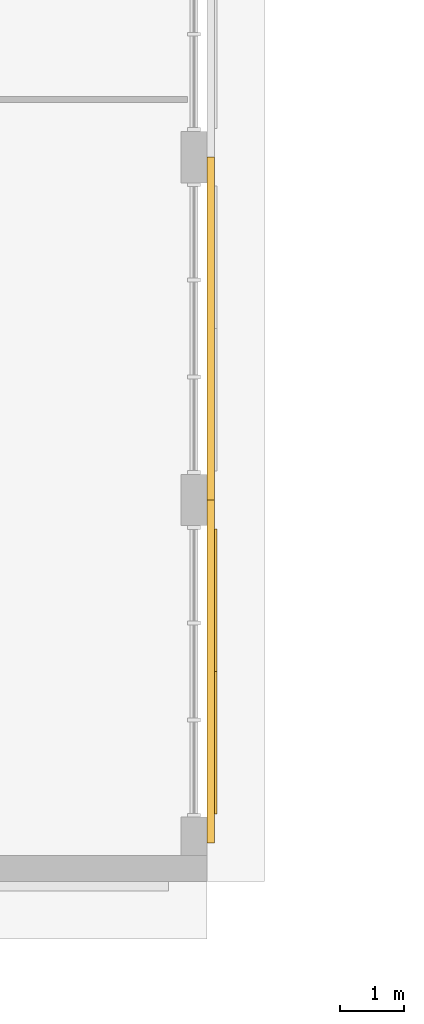
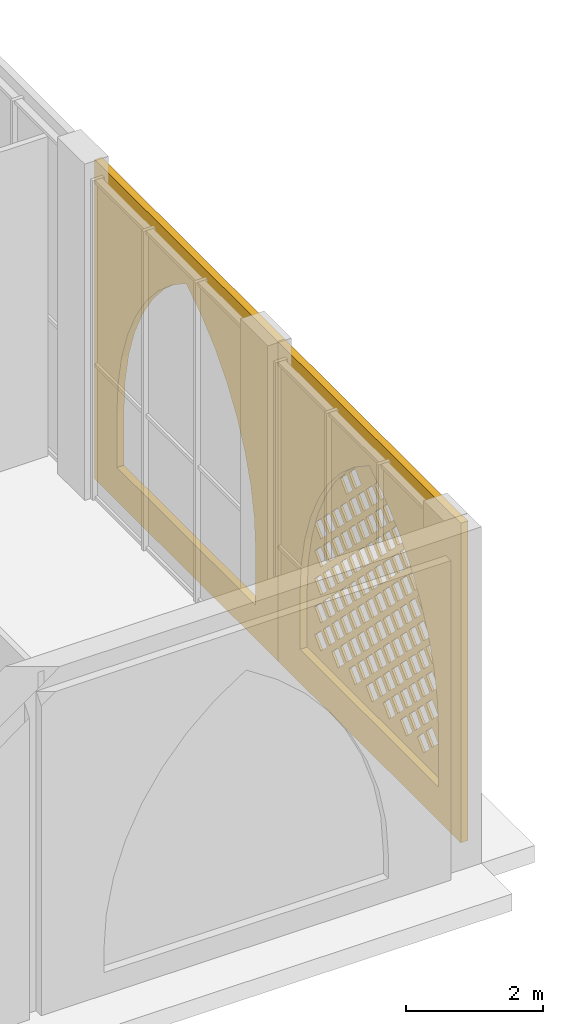
# One storey, part 33 of 74: 3 coverings.
"""IFC4 building model written with IfcOpenShell, lengths in metres."""

from ifc_helpers import new_model, si_unit, direction, frame, origin, place, context, subcontext, project, spatial, polyline, outline, extrude, material, layer, layer_set, type_object, element, save


model = new_model("IFC4")

# Units and contexts
model_context = context("Model", 3, precision=1e-05, world=origin(), true_north=direction((0.0, 1.0)))
body_context = subcontext(model_context, "Body", "Model", "MODEL_VIEW")
ifc_project = project(units=[si_unit("LENGTHUNIT", "METRE"), si_unit("AREAUNIT", "SQUARE_METRE"), si_unit("VOLUMEUNIT", "CUBIC_METRE"), si_unit("PLANEANGLEUNIT", "RADIAN"), si_unit("MASSUNIT", "GRAM", prefix="KILO")], contexts=[model_context])

# Site, building, storey
site_placement = place(None, origin())
site = spatial("IfcSite", under=ifc_project, at=site_placement, CompositionType="ELEMENT")
building_placement = place(site_placement, origin())
building = spatial("IfcBuilding", under=site, at=building_placement, Name="Noorbagh Ring Tower", CompositionType="ELEMENT")
storey_placement = place(building_placement, frame((0.0, 0.0, 7.5)))
storey = spatial("IfcBuildingStorey", under=building, at=storey_placement, Name="L01", CompositionType="ELEMENT", Elevation=7.5)

# Coverings
ifc_material_1 = material(Name="Red sandstone jali", Category="masonry")
ifc_layer_1 = layer(ifc_material_1, 0.0400390625)
ifc_layer_set_1 = layer_set([ifc_layer_1], Name="Red sandstone jali")
covering_type_1 = type_object("IfcCoveringType", Name="STH-JALI", PredefinedType="USERDEFINED", material=ifc_layer_set_1)
covering_1_placement = place(storey_placement, frame((-94.840087890625, -19.949951171875, 0.39990234375), z_axis=(1.0, 0.0, 0.0), x_axis=(0.0, 1.0, 0.0)))
element("IfcCovering", 1, at=covering_1_placement, inside=storey, type_object=covering_type_1, Name="Jali screen", ObjectType="SCREEN", PredefinedType="USERDEFINED", context=body_context, shape_type="SweptSolid", body=[
    extrude(outline(polyline([(0.0, 0.0), (4.449951171875, 0.0), (4.449951171875, 1.0), (4.411865234375, 1.580810546875), (4.29833984375, 2.15185546875), (4.111328125, 2.702880859375), (3.853759765625, 3.22509765625), (3.5302734375, 3.708984375), (3.146484375, 4.146728515625), (2.708984375, 4.530517578125), (2.224853515625, 4.85400390625), (1.740966796875, 4.530517578125), (1.303466796875, 4.146728515625), (0.91943359375, 3.708984375), (0.59619140625, 3.22509765625), (0.338623046875, 2.702880859375), (0.151611328125, 2.15185546875), (0.0380859375, 1.580810546875), (0.0, 1.0), (0.0, 0.0)]), holes=[polyline([(0.669921875, 0.552001953125), (0.85009765625, 0.371826171875), (1.030029296875, 0.552001953125), (0.85009765625, 0.73193359375), (0.669921875, 0.552001953125)]), polyline([(1.169921875, 0.552001953125), (1.35009765625, 0.371826171875), (1.530029296875, 0.552001953125), (1.35009765625, 0.73193359375), (1.169921875, 0.552001953125)]), polyline([(1.669921875, 0.552001953125), (1.85009765625, 0.371826171875), (2.030029296875, 0.552001953125), (1.85009765625, 0.73193359375), (1.669921875, 0.552001953125)]), polyline([(2.169921875, 0.552001953125), (2.35009765625, 0.371826171875), (2.530029296875, 0.552001953125), (2.35009765625, 0.73193359375), (2.169921875, 0.552001953125)]), polyline([(2.669921875, 0.552001953125), (2.85009765625, 0.371826171875), (3.030029296875, 0.552001953125), (2.85009765625, 0.73193359375), (2.669921875, 0.552001953125)]), polyline([(3.169921875, 0.552001953125), (3.35009765625, 0.371826171875), (3.530029296875, 0.552001953125), (3.35009765625, 0.73193359375), (3.169921875, 0.552001953125)]), polyline([(3.669921875, 0.552001953125), (3.85009765625, 0.371826171875), (4.030029296875, 0.552001953125), (3.85009765625, 0.73193359375), (3.669921875, 0.552001953125)]), polyline([(0.419921875, 0.802001953125), (0.60009765625, 0.621826171875), (0.780029296875, 0.802001953125), (0.60009765625, 0.98193359375), (0.419921875, 0.802001953125)]), polyline([(0.919921875, 0.802001953125), (1.10009765625, 0.621826171875), (1.280029296875, 0.802001953125), (1.10009765625, 0.98193359375), (0.919921875, 0.802001953125)]), polyline([(1.419921875, 0.802001953125), (1.60009765625, 0.621826171875), (1.780029296875, 0.802001953125), (1.60009765625, 0.98193359375), (1.419921875, 0.802001953125)]), polyline([(1.919921875, 0.802001953125), (2.10009765625, 0.621826171875), (2.280029296875, 0.802001953125), (2.10009765625, 0.98193359375), (1.919921875, 0.802001953125)]), polyline([(2.419921875, 0.802001953125), (2.60009765625, 0.621826171875), (2.780029296875, 0.802001953125), (2.60009765625, 0.98193359375), (2.419921875, 0.802001953125)]), polyline([(2.919921875, 0.802001953125), (3.10009765625, 0.621826171875), (3.280029296875, 0.802001953125), (3.10009765625, 0.98193359375), (2.919921875, 0.802001953125)]), polyline([(3.419921875, 0.802001953125), (3.60009765625, 0.621826171875), (3.780029296875, 0.802001953125), (3.60009765625, 0.98193359375), (3.419921875, 0.802001953125)]), polyline([(0.669921875, 1.052001953125), (0.85009765625, 0.871826171875), (1.030029296875, 1.052001953125), (0.85009765625, 1.23193359375), (0.669921875, 1.052001953125)]), polyline([(1.169921875, 1.052001953125), (1.35009765625, 0.871826171875), (1.530029296875, 1.052001953125), (1.35009765625, 1.23193359375), (1.169921875, 1.052001953125)]), polyline([(1.669921875, 1.052001953125), (1.85009765625, 0.871826171875), (2.030029296875, 1.052001953125), (1.85009765625, 1.23193359375), (1.669921875, 1.052001953125)]), polyline([(2.169921875, 1.052001953125), (2.35009765625, 0.871826171875), (2.530029296875, 1.052001953125), (2.35009765625, 1.23193359375), (2.169921875, 1.052001953125)]), polyline([(2.669921875, 1.052001953125), (2.85009765625, 0.871826171875), (3.030029296875, 1.052001953125), (2.85009765625, 1.23193359375), (2.669921875, 1.052001953125)]), polyline([(3.169921875, 1.052001953125), (3.35009765625, 0.871826171875), (3.530029296875, 1.052001953125), (3.35009765625, 1.23193359375), (3.169921875, 1.052001953125)]), polyline([(3.669921875, 1.052001953125), (3.85009765625, 0.871826171875), (4.030029296875, 1.052001953125), (3.85009765625, 1.23193359375), (3.669921875, 1.052001953125)]), polyline([(0.419921875, 1.302001953125), (0.60009765625, 1.121826171875), (0.780029296875, 1.302001953125), (0.60009765625, 1.48193359375), (0.419921875, 1.302001953125)]), polyline([(0.919921875, 1.302001953125), (1.10009765625, 1.121826171875), (1.280029296875, 1.302001953125), (1.10009765625, 1.48193359375), (0.919921875, 1.302001953125)]), polyline([(1.419921875, 1.302001953125), (1.60009765625, 1.121826171875), (1.780029296875, 1.302001953125), (1.60009765625, 1.48193359375), (1.419921875, 1.302001953125)]), polyline([(1.919921875, 1.302001953125), (2.10009765625, 1.121826171875), (2.280029296875, 1.302001953125), (2.10009765625, 1.48193359375), (1.919921875, 1.302001953125)]), polyline([(2.419921875, 1.302001953125), (2.60009765625, 1.121826171875), (2.780029296875, 1.302001953125), (2.60009765625, 1.48193359375), (2.419921875, 1.302001953125)]), polyline([(2.919921875, 1.302001953125), (3.10009765625, 1.121826171875), (3.280029296875, 1.302001953125), (3.10009765625, 1.48193359375), (2.919921875, 1.302001953125)]), polyline([(3.419921875, 1.302001953125), (3.60009765625, 1.121826171875), (3.780029296875, 1.302001953125), (3.60009765625, 1.48193359375), (3.419921875, 1.302001953125)]), polyline([(0.669921875, 1.552001953125), (0.85009765625, 1.371826171875), (1.030029296875, 1.552001953125), (0.85009765625, 1.73193359375), (0.669921875, 1.552001953125)]), polyline([(1.169921875, 1.552001953125), (1.35009765625, 1.371826171875), (1.530029296875, 1.552001953125), (1.35009765625, 1.73193359375), (1.169921875, 1.552001953125)]), polyline([(1.669921875, 1.552001953125), (1.85009765625, 1.371826171875), (2.030029296875, 1.552001953125), (1.85009765625, 1.73193359375), (1.669921875, 1.552001953125)]), polyline([(2.169921875, 1.552001953125), (2.35009765625, 1.371826171875), (2.530029296875, 1.552001953125), (2.35009765625, 1.73193359375), (2.169921875, 1.552001953125)]), polyline([(2.669921875, 1.552001953125), (2.85009765625, 1.371826171875), (3.030029296875, 1.552001953125), (2.85009765625, 1.73193359375), (2.669921875, 1.552001953125)]), polyline([(3.169921875, 1.552001953125), (3.35009765625, 1.371826171875), (3.530029296875, 1.552001953125), (3.35009765625, 1.73193359375), (3.169921875, 1.552001953125)]), polyline([(3.669921875, 1.552001953125), (3.85009765625, 1.371826171875), (4.030029296875, 1.552001953125), (3.85009765625, 1.73193359375), (3.669921875, 1.552001953125)]), polyline([(0.419921875, 1.802001953125), (0.60009765625, 1.621826171875), (0.780029296875, 1.802001953125), (0.60009765625, 1.98193359375), (0.419921875, 1.802001953125)]), polyline([(0.919921875, 1.802001953125), (1.10009765625, 1.621826171875), (1.280029296875, 1.802001953125), (1.10009765625, 1.98193359375), (0.919921875, 1.802001953125)]), polyline([(1.419921875, 1.802001953125), (1.60009765625, 1.621826171875), (1.780029296875, 1.802001953125), (1.60009765625, 1.98193359375), (1.419921875, 1.802001953125)]), polyline([(1.919921875, 1.802001953125), (2.10009765625, 1.621826171875), (2.280029296875, 1.802001953125), (2.10009765625, 1.98193359375), (1.919921875, 1.802001953125)]), polyline([(2.419921875, 1.802001953125), (2.60009765625, 1.621826171875), (2.780029296875, 1.802001953125), (2.60009765625, 1.98193359375), (2.419921875, 1.802001953125)]), polyline([(2.919921875, 1.802001953125), (3.10009765625, 1.621826171875), (3.280029296875, 1.802001953125), (3.10009765625, 1.98193359375), (2.919921875, 1.802001953125)]), polyline([(3.419921875, 1.802001953125), (3.60009765625, 1.621826171875), (3.780029296875, 1.802001953125), (3.60009765625, 1.98193359375), (3.419921875, 1.802001953125)]), polyline([(0.669921875, 2.052001953125), (0.85009765625, 1.871826171875), (1.030029296875, 2.052001953125), (0.85009765625, 2.23193359375), (0.669921875, 2.052001953125)]), polyline([(1.169921875, 2.052001953125), (1.35009765625, 1.871826171875), (1.530029296875, 2.052001953125), (1.35009765625, 2.23193359375), (1.169921875, 2.052001953125)]), polyline([(1.669921875, 2.052001953125), (1.85009765625, 1.871826171875), (2.030029296875, 2.052001953125), (1.85009765625, 2.23193359375), (1.669921875, 2.052001953125)]), polyline([(2.169921875, 2.052001953125), (2.35009765625, 1.871826171875), (2.530029296875, 2.052001953125), (2.35009765625, 2.23193359375), (2.169921875, 2.052001953125)]), polyline([(2.669921875, 2.052001953125), (2.85009765625, 1.871826171875), (3.030029296875, 2.052001953125), (2.85009765625, 2.23193359375), (2.669921875, 2.052001953125)]), polyline([(3.169921875, 2.052001953125), (3.35009765625, 1.871826171875), (3.530029296875, 2.052001953125), (3.35009765625, 2.23193359375), (3.169921875, 2.052001953125)]), polyline([(3.669921875, 2.052001953125), (3.85009765625, 1.871826171875), (4.030029296875, 2.052001953125), (3.85009765625, 2.23193359375), (3.669921875, 2.052001953125)]), polyline([(0.419921875, 2.302001953125), (0.60009765625, 2.121826171875), (0.780029296875, 2.302001953125), (0.60009765625, 2.48193359375), (0.419921875, 2.302001953125)]), polyline([(0.919921875, 2.302001953125), (1.10009765625, 2.121826171875), (1.280029296875, 2.302001953125), (1.10009765625, 2.48193359375), (0.919921875, 2.302001953125)]), polyline([(1.419921875, 2.302001953125), (1.60009765625, 2.121826171875), (1.780029296875, 2.302001953125), (1.60009765625, 2.48193359375), (1.419921875, 2.302001953125)]), polyline([(1.919921875, 2.302001953125), (2.10009765625, 2.121826171875), (2.280029296875, 2.302001953125), (2.10009765625, 2.48193359375), (1.919921875, 2.302001953125)]), polyline([(2.419921875, 2.302001953125), (2.60009765625, 2.121826171875), (2.780029296875, 2.302001953125), (2.60009765625, 2.48193359375), (2.419921875, 2.302001953125)]), polyline([(2.919921875, 2.302001953125), (3.10009765625, 2.121826171875), (3.280029296875, 2.302001953125), (3.10009765625, 2.48193359375), (2.919921875, 2.302001953125)]), polyline([(3.419921875, 2.302001953125), (3.60009765625, 2.121826171875), (3.780029296875, 2.302001953125), (3.60009765625, 2.48193359375), (3.419921875, 2.302001953125)]), polyline([(0.669921875, 2.552001953125), (0.85009765625, 2.371826171875), (1.030029296875, 2.552001953125), (0.85009765625, 2.73193359375), (0.669921875, 2.552001953125)]), polyline([(1.169921875, 2.552001953125), (1.35009765625, 2.371826171875), (1.530029296875, 2.552001953125), (1.35009765625, 2.73193359375), (1.169921875, 2.552001953125)]), polyline([(1.669921875, 2.552001953125), (1.85009765625, 2.371826171875), (2.030029296875, 2.552001953125), (1.85009765625, 2.73193359375), (1.669921875, 2.552001953125)]), polyline([(2.169921875, 2.552001953125), (2.35009765625, 2.371826171875), (2.530029296875, 2.552001953125), (2.35009765625, 2.73193359375), (2.169921875, 2.552001953125)]), polyline([(2.669921875, 2.552001953125), (2.85009765625, 2.371826171875), (3.030029296875, 2.552001953125), (2.85009765625, 2.73193359375), (2.669921875, 2.552001953125)]), polyline([(3.169921875, 2.552001953125), (3.35009765625, 2.371826171875), (3.530029296875, 2.552001953125), (3.35009765625, 2.73193359375), (3.169921875, 2.552001953125)]), polyline([(3.669921875, 2.552001953125), (3.85009765625, 2.371826171875), (4.030029296875, 2.552001953125), (3.85009765625, 2.73193359375), (3.669921875, 2.552001953125)]), polyline([(0.919921875, 2.802001953125), (1.10009765625, 2.621826171875), (1.280029296875, 2.802001953125), (1.10009765625, 2.98193359375), (0.919921875, 2.802001953125)]), polyline([(1.419921875, 2.802001953125), (1.60009765625, 2.621826171875), (1.780029296875, 2.802001953125), (1.60009765625, 2.98193359375), (1.419921875, 2.802001953125)]), polyline([(1.919921875, 2.802001953125), (2.10009765625, 2.621826171875), (2.280029296875, 2.802001953125), (2.10009765625, 2.98193359375), (1.919921875, 2.802001953125)]), polyline([(2.419921875, 2.802001953125), (2.60009765625, 2.621826171875), (2.780029296875, 2.802001953125), (2.60009765625, 2.98193359375), (2.419921875, 2.802001953125)]), polyline([(2.919921875, 2.802001953125), (3.10009765625, 2.621826171875), (3.280029296875, 2.802001953125), (3.10009765625, 2.98193359375), (2.919921875, 2.802001953125)]), polyline([(3.419921875, 2.802001953125), (3.60009765625, 2.621826171875), (3.780029296875, 2.802001953125), (3.60009765625, 2.98193359375), (3.419921875, 2.802001953125)]), polyline([(0.669921875, 3.052001953125), (0.85009765625, 2.871826171875), (1.030029296875, 3.052001953125), (0.85009765625, 3.23193359375), (0.669921875, 3.052001953125)]), polyline([(1.169921875, 3.052001953125), (1.35009765625, 2.871826171875), (1.530029296875, 3.052001953125), (1.35009765625, 3.23193359375), (1.169921875, 3.052001953125)]), polyline([(1.669921875, 3.052001953125), (1.85009765625, 2.871826171875), (2.030029296875, 3.052001953125), (1.85009765625, 3.23193359375), (1.669921875, 3.052001953125)]), polyline([(2.169921875, 3.052001953125), (2.35009765625, 2.871826171875), (2.530029296875, 3.052001953125), (2.35009765625, 3.23193359375), (2.169921875, 3.052001953125)]), polyline([(2.669921875, 3.052001953125), (2.85009765625, 2.871826171875), (3.030029296875, 3.052001953125), (2.85009765625, 3.23193359375), (2.669921875, 3.052001953125)]), polyline([(3.169921875, 3.052001953125), (3.35009765625, 2.871826171875), (3.530029296875, 3.052001953125), (3.35009765625, 3.23193359375), (3.169921875, 3.052001953125)]), polyline([(0.919921875, 3.302001953125), (1.10009765625, 3.121826171875), (1.280029296875, 3.302001953125), (1.10009765625, 3.48193359375), (0.919921875, 3.302001953125)]), polyline([(1.419921875, 3.302001953125), (1.60009765625, 3.121826171875), (1.780029296875, 3.302001953125), (1.60009765625, 3.48193359375), (1.419921875, 3.302001953125)]), polyline([(1.919921875, 3.302001953125), (2.10009765625, 3.121826171875), (2.280029296875, 3.302001953125), (2.10009765625, 3.48193359375), (1.919921875, 3.302001953125)]), polyline([(2.419921875, 3.302001953125), (2.60009765625, 3.121826171875), (2.780029296875, 3.302001953125), (2.60009765625, 3.48193359375), (2.419921875, 3.302001953125)]), polyline([(2.919921875, 3.302001953125), (3.10009765625, 3.121826171875), (3.280029296875, 3.302001953125), (3.10009765625, 3.48193359375), (2.919921875, 3.302001953125)]), polyline([(1.169921875, 3.552001953125), (1.35009765625, 3.371826171875), (1.530029296875, 3.552001953125), (1.35009765625, 3.73193359375), (1.169921875, 3.552001953125)]), polyline([(1.669921875, 3.552001953125), (1.85009765625, 3.371826171875), (2.030029296875, 3.552001953125), (1.85009765625, 3.73193359375), (1.669921875, 3.552001953125)]), polyline([(2.169921875, 3.552001953125), (2.35009765625, 3.371826171875), (2.530029296875, 3.552001953125), (2.35009765625, 3.73193359375), (2.169921875, 3.552001953125)]), polyline([(2.669921875, 3.552001953125), (2.85009765625, 3.371826171875), (3.030029296875, 3.552001953125), (2.85009765625, 3.73193359375), (2.669921875, 3.552001953125)]), polyline([(1.419921875, 3.802001953125), (1.60009765625, 3.621826171875), (1.780029296875, 3.802001953125), (1.60009765625, 3.98193359375), (1.419921875, 3.802001953125)]), polyline([(1.919921875, 3.802001953125), (2.10009765625, 3.621826171875), (2.280029296875, 3.802001953125), (2.10009765625, 3.98193359375), (1.919921875, 3.802001953125)]), polyline([(2.419921875, 3.802001953125), (2.60009765625, 3.621826171875), (2.780029296875, 3.802001953125), (2.60009765625, 3.98193359375), (2.419921875, 3.802001953125)]), polyline([(2.919921875, 3.802001953125), (3.10009765625, 3.621826171875), (3.280029296875, 3.802001953125), (3.10009765625, 3.98193359375), (2.919921875, 3.802001953125)]), polyline([(1.669921875, 4.052001953125), (1.85009765625, 3.871826171875), (2.030029296875, 4.052001953125), (1.85009765625, 4.23193359375), (1.669921875, 4.052001953125)]), polyline([(2.169921875, 4.052001953125), (2.35009765625, 3.871826171875), (2.530029296875, 4.052001953125), (2.35009765625, 4.23193359375), (2.169921875, 4.052001953125)]), polyline([(2.669921875, 4.052001953125), (2.85009765625, 3.871826171875), (3.030029296875, 4.052001953125), (2.85009765625, 4.23193359375), (2.669921875, 4.052001953125)]), polyline([(1.919921875, 4.302001953125), (2.10009765625, 4.121826171875), (2.280029296875, 4.302001953125), (2.10009765625, 4.48193359375), (1.919921875, 4.302001953125)])]), origin(), (0.0, 0.0, -1.0), 0.0400390625),
])
ifc_material_2 = material(Name="Red sandstone cladding", Category="masonry")
ifc_layer_2 = layer(ifc_material_2, 0.1201171875)
ifc_layer_set_2 = layer_set([ifc_layer_2], Name="Red sandstone cladding")
covering_type_2 = type_object("IfcCoveringType", Name="STH-SPANDREL", PredefinedType="USERDEFINED", material=ifc_layer_set_2)
covering_2_placement = place(storey_placement, frame((-94.8798828125, -20.39990234375, 0.0), z_axis=(1.0, 0.0, 0.0), x_axis=(0.0, 1.0, 0.0)))
element("IfcCovering", 2, at=covering_2_placement, inside=storey, type_object=covering_type_2, Name="Arch spandrel", ObjectType="ARCH", PredefinedType="USERDEFINED", context=body_context, shape_type="SweptSolid", body=[
    extrude(outline(polyline([(0.0, 0.0), (5.349853515625, 0.0), (5.349853515625, 5.699951171875), (0.0, 5.699951171875), (0.0, 0.0)]), holes=[polyline([(0.64990234375, 0.60009765625), (0.64990234375, 1.60009765625), (0.6845703125, 2.128662109375), (0.7880859375, 2.648193359375), (0.958251953125, 3.14990234375), (1.192626953125, 3.625), (1.48681640625, 4.0654296875), (1.836181640625, 4.4638671875), (2.234619140625, 4.81298828125), (2.675048828125, 5.107421875), (3.115478515625, 4.81298828125), (3.513916015625, 4.4638671875), (3.863037109375, 4.0654296875), (4.157470703125, 3.625), (4.3916015625, 3.14990234375), (4.56201171875, 2.648193359375), (4.665283203125, 2.128662109375), (4.699951171875, 1.60009765625), (4.699951171875, 0.60009765625), (0.64990234375, 0.60009765625)])]), origin(), (0.0, 0.0, -1.0), 0.1201171875),
])
covering_3_placement = place(storey_placement, frame((-94.8798828125, -15.050048828125, 0.0), z_axis=(1.0, 0.0, 0.0), x_axis=(0.0, 1.0, 0.0)))
element("IfcCovering", 3, at=covering_3_placement, inside=storey, type_object=covering_type_2, Name="Arch spandrel", ObjectType="ARCH", PredefinedType="USERDEFINED", context=body_context, shape_type="SweptSolid", body=[
    extrude(outline(polyline([(0.0, 0.0), (5.35009765625, 0.0), (5.35009765625, 5.699951171875), (0.0, 5.699951171875), (0.0, 0.0)]), holes=[polyline([(0.64990234375, 0.60009765625), (0.64990234375, 1.60009765625), (0.6845703125, 2.128662109375), (0.7880859375, 2.648193359375), (0.958251953125, 3.14990234375), (1.192626953125, 3.625), (1.48681640625, 4.0654296875), (1.836181640625, 4.4638671875), (2.234619140625, 4.81298828125), (2.675048828125, 5.107421875), (3.115478515625, 4.81298828125), (3.513916015625, 4.4638671875), (3.863037109375, 4.0654296875), (4.157470703125, 3.625), (4.3916015625, 3.14990234375), (4.56201171875, 2.648193359375), (4.665283203125, 2.128662109375), (4.699951171875, 1.60009765625), (4.699951171875, 0.60009765625), (0.64990234375, 0.60009765625)])]), origin(), (0.0, 0.0, -1.0), 0.1201171875),
])

save(model, "model.ifc")
